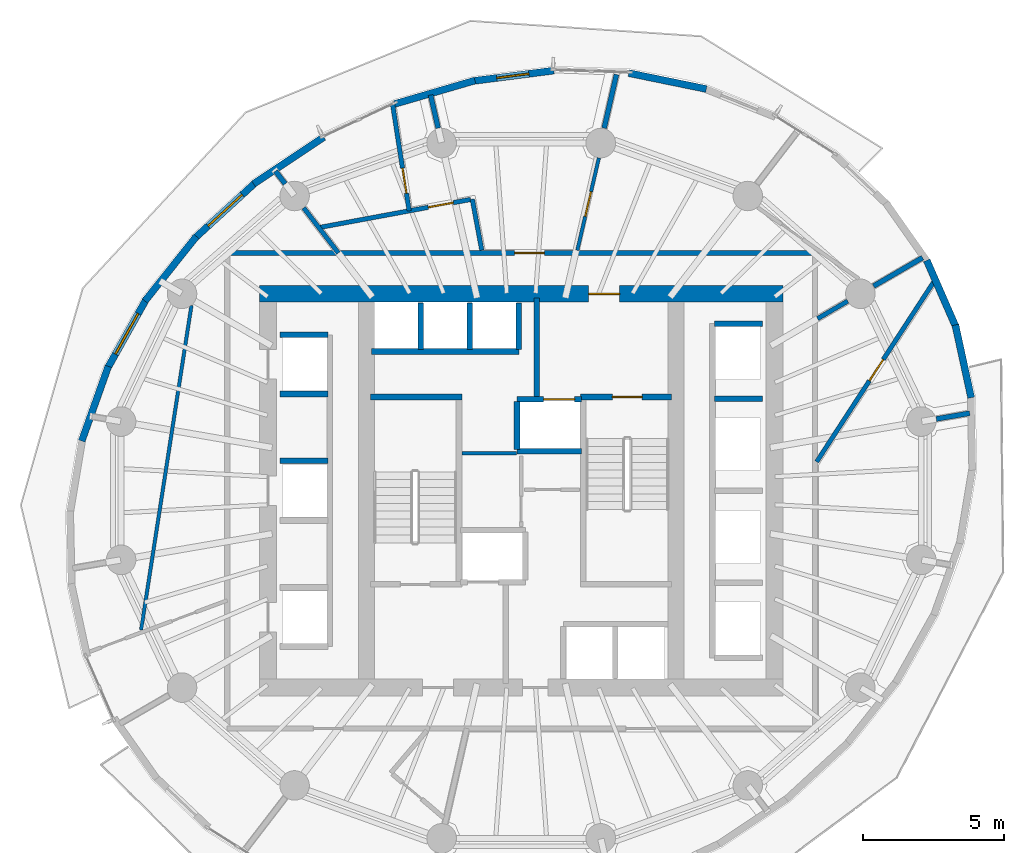
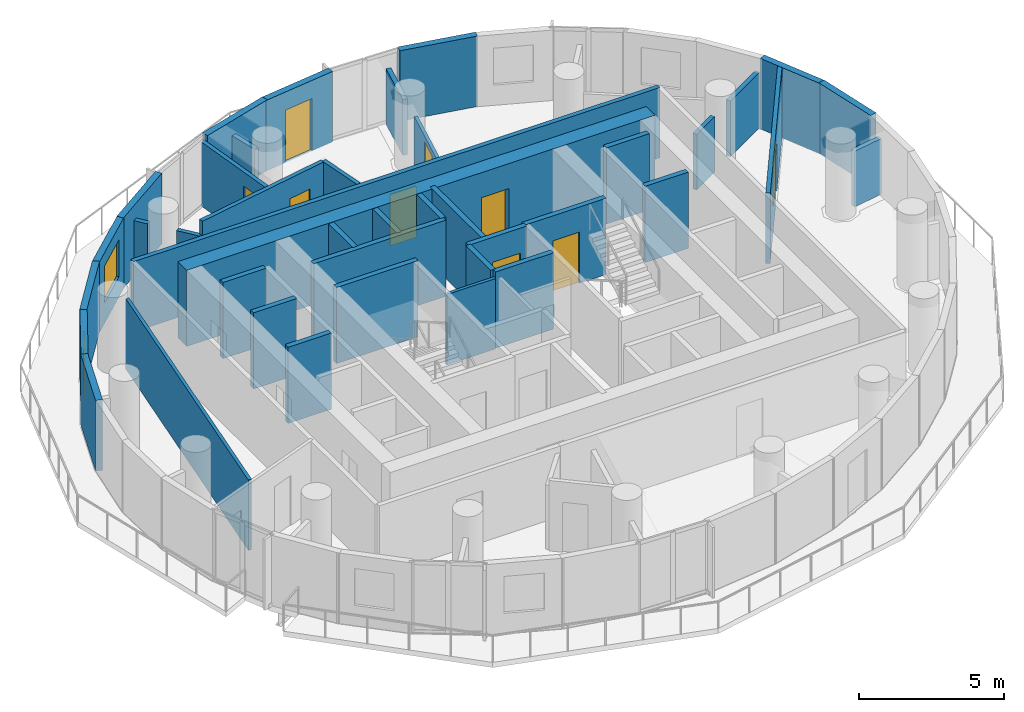
# One storey, part 7 of 13: 41 walls, 9 doors, 2 windows, 11 openings.
"""IFC4 building model written with IfcOpenShell, lengths in metres."""

from ifc_helpers import new_model, si_unit, direction, frame, frame_2d, origin, place, context, subcontext, project, spatial, rectangle, extrude, material, layer, layer_set, type_object, element, fill, save


model = new_model("IFC4")

# Units and contexts
model_context = context("Model", 3, precision=1e-05, world=origin(), true_north=direction((0.0, 1.0)))
body_context = subcontext(model_context, "Body", "Model", "MODEL_VIEW")
ifc_project = project(units=[si_unit("LENGTHUNIT", "METRE"), si_unit("AREAUNIT", "SQUARE_METRE"), si_unit("VOLUMEUNIT", "CUBIC_METRE"), si_unit("PLANEANGLEUNIT", "RADIAN"), si_unit("MASSUNIT", "GRAM", prefix="KILO")], contexts=[model_context])

# Site, building, storey
site_placement = place(None, origin())
site = spatial("IfcSite", under=ifc_project, at=site_placement, CompositionType="ELEMENT")
building_placement = place(site_placement, origin())
building = spatial("IfcBuilding", under=site, at=building_placement, Name="Veldorim Arch Residences", CompositionType="ELEMENT")
storey_placement = place(building_placement, frame((0.0, 0.0, 120.159912109375)))
storey = spatial("IfcBuildingStorey", under=building, at=storey_placement, Name="L35", CompositionType="ELEMENT", Elevation=120.159912109375)

# Wall
ifc_material_1 = material(Name="Acoustic Gypsum Board", Category="gypsum")
ifc_layer_1 = layer(ifc_material_1, 0.125, Name="Acoustic Stud Room Partition Wall 125")
ifc_layer_set_1 = layer_set([ifc_layer_1], Name="Acoustic Gypsum Board")
wall_type_1 = type_object("IfcWallType", Name="Acoustic Stud Room Partition Wall 125", PredefinedType="PARTITIONING", material=ifc_layer_set_1)
wall_1_placement = place(storey_placement, frame((29.889892578125, 25.330078125, 0.0), z_axis=(0.0, 0.0, 1.0), x_axis=(1.0, 0.0, 0.0)))
element("IfcWall", 1, at=wall_1_placement, inside=storey, type_object=wall_type_1, Name="L35 interior wall WL-CA-L35-N", PredefinedType="PARTITIONING", context=body_context, shape_type="SweptSolid", body=[
    extrude(rectangle(XDim=1.940185546875, YDim=0.125, at=frame_2d((0.97021484375, 0.0))), origin(), (0.0, 0.0, 1.0), 2.955078125),
])

# Wall, opening, door
wall_2_placement = place(storey_placement, frame((34.762939453125, 35.830078125, 0.0), z_axis=(0.0, 0.0, 1.0), x_axis=(-0.227476864998, -0.973783485119, 0.0)))
wall_2 = element("IfcWall", 2, at=wall_2_placement, inside=storey, type_object=wall_type_1, Name="L35 interior wall WL-RES-L35-010", PredefinedType="PARTITIONING", context=body_context, shape_type="SweptSolid", body=[
    extrude(rectangle(XDim=3.37109375, YDim=0.125, at=frame_2d((1.685546875, 0.0))), origin(), (0.0, 0.0, 1.0), 2.3359375),
])
opening_1_placement = place(wall_2_placement, frame((1.235595703125, 0.0, 0.0)))
opening_1 = element("IfcOpeningElement", 3, at=opening_1_placement, cuts=wall_2, Name="Opening DR-INT", PredefinedType="OPENING", context=body_context, shape_type="SweptSolid", body=[
    extrude(rectangle(XDim=0.89990234375, YDim=2.10009765625, at=frame_2d((0.449951171875, 1.050048828125))), frame((0.0, 0.072509765625, 0.0), z_axis=(0.0, -1.0, 0.0), x_axis=(1.0, 0.0, 0.0)), (0.0, 0.0, 1.0), 0.14501953125),
])
ifc_material_2 = material(Name="Engineered Timber", Category="wood")
door_type_1 = type_object("IfcDoorType", Name="Apartment Internal Room Timber Door 900x2100", OperationType="SINGLE_SWING_LEFT", PredefinedType="DOOR", material=ifc_material_2)
door_1_placement = place(opening_1_placement, origin())
door_1 = element("IfcDoor", 4, at=door_1_placement, inside=storey, type_object=door_type_1, Name="L35 interior door DR-RES-L35-005", OperationType="SINGLE_SWING_LEFT", OverallHeight=2.10009765625, OverallWidth=0.89990234375, PredefinedType="DOOR", context=body_context, shape_type="SweptSolid", body=[
    extrude(rectangle(XDim=0.89990234375, YDim=2.10009765625, at=frame_2d((0.449951171875, 1.050048828125))), frame((0.0, 0.02490234375, 0.0), z_axis=(0.0, -1.0, 0.0), x_axis=(1.0, 0.0, 0.0)), (0.0, 0.0, 1.0), 0.050048828125),
])
fill(opening_1, door_1)

# Walls
wall_3_placement = place(storey_placement, frame((20.27783203125, 30.58349609375, 0.0), z_axis=(0.0, 0.0, 1.0), x_axis=(-0.153357052545, -0.988170842737, 0.0)))
element("IfcWall", 5, at=wall_3_placement, inside=storey, type_object=wall_type_1, Name="L35 interior wall WL-RES-L35-018", PredefinedType="PARTITIONING", context=body_context, shape_type="SweptSolid", body=[
    extrude(rectangle(XDim=11.670654296875, YDim=0.125, at=frame_2d((5.83544921875, 0.0))), origin(), (0.0, 0.0, 1.0), 2.955078125),
])
ifc_material_3 = material(Name="Lightweight Masonry Block & Gypsum", Category="masonry")
ifc_layer_2 = layer(ifc_material_3, 0.179931640625, Name="Compartment & Corridor Fire-Rated Party Wall 180")
ifc_layer_set_2 = layer_set([ifc_layer_2], Name="Lightweight Masonry Block & Gypsum")
wall_type_2 = type_object("IfcWallType", Name="Compartment & Corridor Fire-Rated Party Wall 180", PredefinedType="PARTITIONING", material=ifc_layer_set_2)
wall_4_placement = place(storey_placement, frame((46.75830078125, 26.55078125, 0.0), z_axis=(0.0, 0.0, 1.0), x_axis=(0.985370848046, 0.170423859309, 0.0)))
element("IfcWall", 6, at=wall_4_placement, inside=storey, type_object=wall_type_2, Name="L35 interior wall WL-PIER-L35-01", PredefinedType="PARTITIONING", context=body_context, shape_type="SweptSolid", body=[
    extrude(rectangle(XDim=1.201904296875, YDim=0.179931640625, at=frame_2d((0.60107421875, 0.0))), origin(), (0.0, 0.0, 1.0), 2.3359375),
])
wall_5_placement = place(storey_placement, frame((44.527587890625, 31.27392578125, 0.0), z_axis=(0.0, 0.0, 1.0), x_axis=(0.864841613648, 0.502044802088, 0.0)))
element("IfcWall", 7, at=wall_5_placement, inside=storey, type_object=wall_type_2, Name="L35 interior wall WL-PIER-L35-02", PredefinedType="PARTITIONING", context=body_context, shape_type="SweptSolid", body=[
    extrude(rectangle(XDim=2.0126953125, YDim=0.179931640625, at=frame_2d((1.00634765625, 0.0))), origin(), (0.0, 0.0, 1.0), 2.3359375),
])
wall_6_placement = place(storey_placement, frame((34.950439453125, 36.88916015625, 0.0), z_axis=(0.0, 0.0, 1.0), x_axis=(0.22314653936, 0.97478491062, 0.0)))
element("IfcWall", 8, at=wall_6_placement, inside=storey, type_object=wall_type_2, Name="L35 interior wall WL-PIER-L35-04", PredefinedType="PARTITIONING", context=body_context, shape_type="SweptSolid", body=[
    extrude(rectangle(XDim=1.957275390625, YDim=0.179931640625, at=frame_2d((0.978515625, 0.0))), origin(), (0.0, 0.0, 1.0), 2.3359375),
])
wall_7_placement = place(storey_placement, frame((29.049560546875, 36.88916015625, 0.0), z_axis=(0.0, 0.0, 1.0), x_axis=(-0.22307190815, 0.974801992096, 0.0)))
element("IfcWall", 9, at=wall_7_placement, inside=storey, type_object=wall_type_2, Name="L35 interior wall WL-PIER-L35-05", PredefinedType="PARTITIONING", context=body_context, shape_type="SweptSolid", body=[
    extrude(rectangle(XDim=1.207275390625, YDim=0.179931640625, at=frame_2d((0.603515625, 0.0))), origin(), (0.0, 0.0, 1.0), 2.3359375),
])
wall_8_placement = place(storey_placement, frame((23.612060546875, 34.908447265625, 0.0), z_axis=(0.0, 0.0, 1.0), x_axis=(-0.609627883901, 0.792687733708, 0.0)))
element("IfcWall", 10, at=wall_8_placement, inside=storey, type_object=wall_type_2, Name="L35 interior wall WL-PIER-L35-06", PredefinedType="PARTITIONING", context=body_context, shape_type="SweptSolid", body=[
    extrude(rectangle(XDim=0.569580078125, YDim=0.179931640625, at=frame_2d((0.28466796875, 0.0))), origin(), (0.0, 0.0, 1.0), 2.3359375),
])

# Wall, opening, door
wall_9_placement = place(storey_placement, frame((21.550048828125, 32.449951171875, 0.0), z_axis=(0.0, 0.0, 1.0), x_axis=(1.0, 0.0, 0.0)))
wall_9 = element("IfcWall", 11, at=wall_9_placement, inside=storey, type_object=wall_type_2, Name="L35 interior wall WL-RES-L35-003", PredefinedType="PARTITIONING", context=body_context, shape_type="SweptSolid", body=[
    extrude(rectangle(XDim=20.89990234375, YDim=0.179931640625, at=frame_2d((10.449951171875, 0.0))), origin(), (0.0, 0.0, 1.0), 2.955078125),
])
opening_2_placement = place(wall_9_placement, frame((10.220458984375, 0.0, 0.0)))
opening_2 = element("IfcOpeningElement", 12, at=opening_2_placement, cuts=wall_9, Name="Opening DR-FLT", PredefinedType="OPENING", context=body_context, shape_type="SweptSolid", body=[
    extrude(rectangle(XDim=1.050048828125, YDim=2.14990234375, at=frame_2d((0.52490234375, 1.074951171875))), frame((0.0, 0.099853515625, 0.0), z_axis=(0.0, -1.0, 0.0), x_axis=(1.0, 0.0, 0.0)), (0.0, 0.0, 1.0), 0.199951171875),
])
ifc_material_4 = material(Name="Fire-Rated Timber", Category="wood")
door_type_2 = type_object("IfcDoorType", Name="Apartment Entrance Solid-Core Fire Door 1050x2150", OperationType="SINGLE_SWING_LEFT", PredefinedType="DOOR", material=ifc_material_4)
door_2_placement = place(opening_2_placement, origin())
door_2 = element("IfcDoor", 13, at=door_2_placement, inside=storey, type_object=door_type_2, Name="L35 interior door DR-RES-L35-003", OperationType="SINGLE_SWING_LEFT", OverallHeight=2.14990234375, OverallWidth=1.050048828125, PredefinedType="DOOR", context=body_context, shape_type="SweptSolid", body=[
    extrude(rectangle(XDim=1.050048828125, YDim=2.14990234375, at=frame_2d((0.52490234375, 1.074951171875))), frame((0.0, 0.02490234375, 0.0), z_axis=(0.0, -1.0, 0.0), x_axis=(1.0, 0.0, 0.0)), (0.0, 0.0, 1.0), 0.050048828125),
])
fill(opening_2, door_2)

# Wall
ifc_material_5 = material(Name="Concrete C50/60", Category="concrete")
ifc_layer_3 = layer(ifc_material_5, 0.199951171875, Name="Core Stair & Lift Shaft Enclosure Wall 200")
ifc_layer_set_3 = layer_set([ifc_layer_3], Name="Concrete C50/60")
wall_type_3 = type_object("IfcWallType", Name="Core Stair & Lift Shaft Enclosure Wall 200", PredefinedType="SHEAR", material=ifc_layer_set_3)
wall_10_placement = place(storey_placement, frame((26.64990234375, 27.330078125, 0.0), z_axis=(0.0, 0.0, 1.0), x_axis=(1.0, 0.0, 0.0)))
element("IfcWall", 14, at=wall_10_placement, inside=storey, type_object=wall_type_3, Name="L35 shaft wall WL-SHF-L35-ST1-N", PredefinedType="SHEAR", context=body_context, shape_type="SweptSolid", body=[
    extrude(rectangle(XDim=3.239990234375, YDim=0.199951171875, at=frame_2d((1.6201171875, 0.0))), origin(), (0.0, 0.0, 1.0), 3.2001953125),
])

# Wall, opening, door
wall_11_placement = place(storey_placement, frame((34.110107421875, 27.330078125, 0.0), z_axis=(0.0, 0.0, 1.0), x_axis=(1.0, 0.0, 0.0)))
wall_11 = element("IfcWall", 15, at=wall_11_placement, inside=storey, type_object=wall_type_3, Name="L35 shaft wall WL-SHF-L35-ST2-N", PredefinedType="SHEAR", context=body_context, shape_type="SweptSolid", body=[
    extrude(rectangle(XDim=3.239990234375, YDim=0.199951171875, at=frame_2d((1.6201171875, 0.0))), origin(), (0.0, 0.0, 1.0), 3.2001953125),
])
opening_3_placement = place(wall_11_placement, frame((1.135009765625, 0.0, 0.0)))
opening_3 = element("IfcOpeningElement", 16, at=opening_3_placement, cuts=wall_11, Name="Opening DR-ST", PredefinedType="OPENING", context=body_context, shape_type="SweptSolid", body=[
    extrude(rectangle(XDim=1.050048828125, YDim=2.14990234375, at=frame_2d((0.52490234375, 1.074951171875))), frame((0.0, 0.10986328125, 0.0), z_axis=(0.0, -1.0, 0.0), x_axis=(1.0, 0.0, 0.0)), (0.0, 0.0, 1.0), 0.219970703125),
])
ifc_material_6 = material(Name="Fire-Rated Steel", Category="steel")
door_type_3 = type_object("IfcDoorType", Name="Exit Staircase Self-Closing Fire Door 1050x2150", OperationType="SINGLE_SWING_LEFT", PredefinedType="DOOR", material=ifc_material_6)
door_3_placement = place(opening_3_placement, origin())
door_3 = element("IfcDoor", 17, at=door_3_placement, inside=storey, type_object=door_type_3, Name="L35 interior door DR-L35-ST2", OperationType="SINGLE_SWING_RIGHT", OverallHeight=2.14990234375, OverallWidth=1.050048828125, PredefinedType="DOOR", context=body_context, shape_type="SweptSolid", body=[
    extrude(rectangle(XDim=1.050048828125, YDim=2.14990234375, at=frame_2d((0.52490234375, 1.074951171875))), frame((0.0, 0.02490234375, 0.0), z_axis=(0.0, -1.0, 0.0), x_axis=(1.0, 0.0, 0.0)), (0.0, 0.0, 1.0), 0.050048828125),
])
fill(opening_3, door_3)

# Wall
wall_12_placement = place(storey_placement, frame((32.550048828125, 27.35009765625, 0.0), z_axis=(0.0, 0.0, 1.0), x_axis=(0.0, 1.0, 0.0)))
element("IfcWall", 18, at=wall_12_placement, inside=storey, type_object=wall_type_3, Name="L35 shaft wall WL-FFL2-L35-W", PredefinedType="SHEAR", context=body_context, shape_type="SweptSolid", body=[
    extrude(rectangle(XDim=3.5, YDim=0.199951171875, at=frame_2d((1.75, 0.0))), origin(), (0.0, 0.0, 1.0), 3.2001953125),
])

# Wall, opening, door
wall_13_placement = place(storey_placement, frame((31.85009765625, 27.25, 0.0), z_axis=(0.0, 0.0, 1.0), x_axis=(1.0, 0.0, 0.0)))
wall_13 = element("IfcWall", 19, at=wall_13_placement, inside=storey, type_object=wall_type_3, Name="L35 shaft wall WL-FL02-L35-N", PredefinedType="SHEAR", context=body_context, shape_type="SweptSolid", body=[
    extrude(rectangle(XDim=2.2998046875, YDim=0.199951171875, at=frame_2d((1.14990234375, 0.0))), origin(), (0.0, 0.0, 1.0), 3.2001953125),
])
opening_4_placement = place(wall_13_placement, frame((0.949951171875, 0.0, 0.0)))
opening_4 = element("IfcOpeningElement", 20, at=opening_4_placement, cuts=wall_13, Name="Opening LD-FF", PredefinedType="OPENING", context=body_context, shape_type="SweptSolid", body=[
    extrude(rectangle(XDim=1.10009765625, YDim=2.14990234375, at=frame_2d((0.550048828125, 1.074951171875))), frame((0.0, 0.10986328125, 0.0), z_axis=(0.0, -1.0, 0.0), x_axis=(1.0, 0.0, 0.0)), (0.0, 0.0, 1.0), 0.219970703125),
])
ifc_material_7 = material(Name="Stainless Steel", Category="steel")
door_type_4 = type_object("IfcDoorType", Name="Firefighting Lift Bi-Parting Sliding Landing Door 1100x2150", OperationType="DOUBLE_DOOR_SLIDING", PredefinedType="DOOR", material=ifc_material_7)
door_4_placement = place(opening_4_placement, origin())
door_4 = element("IfcDoor", 21, at=door_4_placement, inside=storey, type_object=door_type_4, Name="L35 lift landing door LD-L35-FL02", OperationType="DOUBLE_DOOR_SLIDING", OverallHeight=2.14990234375, OverallWidth=1.10009765625, PredefinedType="DOOR", context=body_context, shape_type="SweptSolid", body=[
    extrude(rectangle(XDim=1.10009765625, YDim=2.14990234375, at=frame_2d((0.550048828125, 1.074951171875))), frame((0.0, 0.02490234375, 0.0), z_axis=(0.0, -1.0, 0.0), x_axis=(1.0, 0.0, 0.0)), (0.0, 0.0, 1.0), 0.050048828125),
])
fill(opening_4, door_4)

# Walls
wall_14_placement = place(storey_placement, frame((31.85009765625, 25.39990234375, 0.0), z_axis=(0.0, 0.0, 1.0), x_axis=(1.0, 0.0, 0.0)))
element("IfcWall", 22, at=wall_14_placement, inside=storey, type_object=wall_type_3, Name="L35 shaft wall WL-FL02-L35-S", PredefinedType="SHEAR", context=body_context, shape_type="SweptSolid", body=[
    extrude(rectangle(XDim=2.2998046875, YDim=0.199951171875, at=frame_2d((1.14990234375, 0.0))), origin(), (0.0, 0.0, 1.0), 3.2001953125),
])
for number, where, z_axis, x_axis, name in (
    (23, (31.85009765625, 25.469970703125, 0.0), (0.0, 0.0, 1.0), (0.0, 1.0, 0.0), "L35 shaft wall WL-FL02-L35-W"),
    (24, (38.8701171875, 29.93994140625, 0.0), (0.0, 0.0, 1.0), (1.0, 0.0, 0.0), "L35 shaft wall WL-B1-L35-N"),
    (25, (38.8701171875, 27.27490234375, 0.0), (0.0, 0.0, 1.0), (1.0, 0.0, 0.0), "L35 shaft wall WL-B1-L35-D3"),
    (26, (23.419921875, 29.5400390625, 0.0), (0.0, 0.0, 1.0), (1.0, 0.0, 0.0), "L35 shaft wall WL-B2-L35-N"),
    (27, (23.419921875, 25.06005859375, 0.0), (0.0, 0.0, 1.0), (1.0, 0.0, 0.0), "L35 shaft wall WL-B2-L35-D2A"),
    (28, (23.419921875, 27.43994140625, 0.0), (0.0, 0.0, 1.0), (1.0, 0.0, 0.0), "L35 shaft wall WL-B2-L35-D2B"),
):
    element("IfcWall", number, at=place(storey_placement, frame(where, z_axis=z_axis, x_axis=x_axis)), inside=storey, type_object=wall_type_3, Name=name, PredefinedType="SHEAR", context=body_context, shape_type="SweptSolid", body=[
        extrude(rectangle(XDim=1.7099609375, YDim=0.199951171875, at=frame_2d((0.85498046875, 0.0))), origin(), (0.0, 0.0, 1.0), 3.2001953125),
    ])
wall_15_placement = place(storey_placement, frame((26.679931640625, 28.949951171875, 0.0), z_axis=(0.0, 0.0, 1.0), x_axis=(1.0, 0.0, 0.0)))
element("IfcWall", 29, at=wall_15_placement, inside=storey, type_object=wall_type_3, Name="L35 shaft wall WL-B3-L35-S", PredefinedType="SHEAR", context=body_context, shape_type="SweptSolid", body=[
    extrude(rectangle(XDim=5.239990234375, YDim=0.199951171875, at=frame_2d((2.6201171875, 0.0))), origin(), (0.0, 0.0, 1.0), 3.2001953125),
])
for number, where, z_axis, x_axis, name in (
    (30, (31.919921875, 29.02001953125, 0.0), (0.0, 0.0, 1.0), (0.0, 1.0, 0.0), "L35 shaft wall WL-B3-L35-E"),
    (31, (28.425048828125, 29.02001953125, 0.0), (0.0, 0.0, 1.0), (0.0, 1.0, 0.0), "L35 shaft wall WL-B3-L35-D1"),
    (32, (30.175048828125, 29.02001953125, 0.0), (0.0, 0.0, 1.0), (0.0, 1.0, 0.0), "L35 shaft wall WL-B3-L35-D2"),
):
    element("IfcWall", number, at=place(storey_placement, frame(where, z_axis=z_axis, x_axis=x_axis)), inside=storey, type_object=wall_type_3, Name=name, PredefinedType="SHEAR", context=body_context, shape_type="SweptSolid", body=[
        extrude(rectangle(XDim=1.659912109375, YDim=0.199951171875, at=frame_2d((0.830078125, 0.0))), origin(), (0.0, 0.0, 1.0), 3.2001953125),
    ])

# Wall, opening, door
ifc_material_8 = material(Name="Concrete C50/60", Category="concrete")
ifc_layer_4 = layer(ifc_material_8, 0.60009765625, Name="Mid-Upper Central Core Shear Wall 600")
ifc_layer_set_4 = layer_set([ifc_layer_4], Name="Concrete C50/60")
wall_type_4 = type_object("IfcWallType", Name="Mid-Upper Central Core Shear Wall 600", PredefinedType="SHEAR", material=ifc_layer_set_4)
wall_16_placement = place(storey_placement, frame((22.699951171875, 31.0, 0.0), z_axis=(0.0, 0.0, 1.0), x_axis=(1.0, 0.0, 0.0)))
wall_16 = element("IfcWall", 33, at=wall_16_placement, inside=storey, type_object=wall_type_4, Name="L35 central core north shear wall", PredefinedType="SHEAR", context=body_context, shape_type="SweptSolid", body=[
    extrude(rectangle(XDim=18.60009765625, YDim=0.60009765625, at=frame_2d((9.300048828125, 0.0))), origin(), (0.0, 0.0, 1.0), 3.2001953125),
])
opening_5_placement = place(wall_16_placement, frame((11.699951171875, 0.0, 0.0)))
opening_5 = element("IfcOpeningElement", 34, at=opening_5_placement, cuts=wall_16, Name="Opening DR-FFL", PredefinedType="OPENING", context=body_context, shape_type="SweptSolid", body=[
    extrude(rectangle(XDim=1.10009765625, YDim=2.14990234375, at=frame_2d((0.550048828125, 1.074951171875))), frame((0.0, 0.31005859375, 0.0), z_axis=(0.0, -1.0, 0.0), x_axis=(1.0, 0.0, 0.0)), (0.0, 0.0, 1.0), 0.6201171875),
])
ifc_material_9 = material(Name="Fire-Rated Steel & Vision Glass", Category="steel")
door_type_5 = type_object("IfcDoorType", Name="Firefighting Lobby Smoke-Stop Fire Door 1100x2150", OperationType="SINGLE_SWING_LEFT", PredefinedType="DOOR", material=ifc_material_9)
door_5_placement = place(opening_5_placement, origin())
door_5 = element("IfcDoor", 35, at=door_5_placement, inside=storey, type_object=door_type_5, Name="L35 interior door DR-L35-FFL2", OperationType="SINGLE_SWING_LEFT", OverallHeight=2.14990234375, OverallWidth=1.10009765625, PredefinedType="DOOR", context=body_context, shape_type="SweptSolid", body=[
    extrude(rectangle(XDim=1.10009765625, YDim=2.14990234375, at=frame_2d((0.550048828125, 1.074951171875))), frame((0.0, 0.02490234375, 0.0), z_axis=(0.0, -1.0, 0.0), x_axis=(1.0, 0.0, 0.0)), (0.0, 0.0, 1.0), 0.050048828125),
])
fill(opening_5, door_5)

# Wall
ifc_material_10 = material(Name="Precast concrete C40/50", Category="concrete")
ifc_layer_5 = layer(ifc_material_10, 0.25, Name="Tower Terracotta Spandrel & Pier Wall 250")
ifc_layer_set_5 = layer_set([ifc_layer_5], Name="Precast concrete C40/50")
wall_type_5 = type_object("IfcWallType", Name="Tower Terracotta Spandrel & Pier Wall 250", PredefinedType="SOLIDWALL", material=ifc_layer_set_5)
wall_17_placement = place(storey_placement, frame((35.822509765625, 38.8466796875, 0.0), z_axis=(0.0, 0.0, 1.0), x_axis=(0.97955106245, -0.20119571579, 0.0)))
element("IfcWall", 36, at=wall_17_placement, inside=storey, type_object=wall_type_5, Name="L35 terracotta facade wall 05", PredefinedType="SOLIDWALL", context=body_context, shape_type="SweptSolid", body=[
    extrude(rectangle(XDim=2.817626953125, YDim=0.25, at=frame_2d((1.40869140625, 0.0))), origin(), (0.0, 0.0, 1.0), 2.960205078125),
])

# Wall, opening, door
wall_18_placement = place(storey_placement, frame((30.24951171875, 38.561279296875, 0.0), z_axis=(0.0, 0.0, 1.0), x_axis=(0.991825107288, 0.1276046886, 0.0)))
wall_18 = element("IfcWall", 37, at=wall_18_placement, inside=storey, type_object=wall_type_5, Name="L35 terracotta facade wall 07", PredefinedType="SOLIDWALL", context=body_context, shape_type="SweptSolid", body=[
    extrude(rectangle(XDim=2.936767578125, YDim=0.25, at=frame_2d((1.46826171875, 0.0))), origin(), (0.0, 0.0, 1.0), 2.960205078125),
])
opening_6_placement = place(wall_18_placement, frame((0.89306640625, 0.0, 0.0)))
opening_6 = element("IfcOpeningElement", 38, at=opening_6_placement, cuts=wall_18, Name="Opening BL-DR", PredefinedType="OPENING", context=body_context, shape_type="SweptSolid", body=[
    extrude(rectangle(XDim=1.14990234375, YDim=2.199951171875, at=frame_2d((0.574951171875, 1.10009765625))), frame((0.0, 0.135009765625, 0.0), z_axis=(0.0, -1.0, 0.0), x_axis=(1.0, 0.0, 0.0)), (0.0, 0.0, 1.0), 0.27001953125),
])
ifc_material_11 = material(Name="Aluminium & Low-E Glass", Category="aluminium")
door_type_6 = type_object("IfcDoorType", Name="Glazed Planted Balcony Door 1150x2200", OperationType="SINGLE_SWING_LEFT", PredefinedType="DOOR", material=ifc_material_11)
door_6_placement = place(opening_6_placement, origin())
door_6 = element("IfcDoor", 39, at=door_6_placement, inside=storey, type_object=door_type_6, Name="L35 glazed outdoor terrace door BALC-1", OperationType="SINGLE_SWING_LEFT", OverallHeight=2.199951171875, OverallWidth=1.14990234375, PredefinedType="DOOR", context=body_context, shape_type="SweptSolid", body=[
    extrude(rectangle(XDim=1.14990234375, YDim=2.199951171875, at=frame_2d((0.574951171875, 1.10009765625))), frame((0.0, 0.02490234375, 0.0), z_axis=(0.0, -1.0, 0.0), x_axis=(1.0, 0.0, 0.0)), (0.0, 0.0, 1.0), 0.050048828125),
])
fill(opening_6, door_6)

# Walls
wall_19_placement = place(storey_placement, frame((27.498779296875, 37.748779296875, 0.0), z_axis=(0.0, 0.0, 1.0), x_axis=(0.95988234126, 0.280403086532, 0.0)))
element("IfcWall", 40, at=wall_19_placement, inside=storey, type_object=wall_type_5, Name="L35 terracotta facade wall 08", PredefinedType="SOLIDWALL", context=body_context, shape_type="SweptSolid", body=[
    extrude(rectangle(XDim=2.976806640625, YDim=0.25, at=frame_2d((1.48828125, 0.0))), origin(), (0.0, 0.0, 1.0), 2.960205078125),
])
wall_20_placement = place(storey_placement, frame((22.48583984375, 34.905517578125, 0.0), z_axis=(0.0, 0.0, 1.0), x_axis=(0.831523781892, 0.555489153943, 0.0)))
element("IfcWall", 41, at=wall_20_placement, inside=storey, type_object=wall_type_5, Name="L35 terracotta facade wall 10", PredefinedType="SOLIDWALL", context=body_context, shape_type="SweptSolid", body=[
    extrude(rectangle(XDim=2.998291015625, YDim=0.25, at=frame_2d((1.4990234375, 0.0))), origin(), (0.0, 0.0, 1.0), 2.960205078125),
])

# Wall, opening, window
wall_21_placement = place(storey_placement, frame((20.377197265625, 32.960693359375, 0.0), z_axis=(0.0, 0.0, 1.0), x_axis=(0.737072437991, 0.675813747384, 0.0)))
wall_21 = element("IfcWall", 42, at=wall_21_placement, inside=storey, type_object=wall_type_5, Name="L35 terracotta facade wall 11", PredefinedType="SOLIDWALL", context=body_context, shape_type="SweptSolid", body=[
    extrude(rectangle(XDim=2.97705078125, YDim=0.25, at=frame_2d((1.488525390625, 0.0))), origin(), (0.0, 0.0, 1.0), 2.960205078125),
])
opening_7_placement = place(wall_21_placement, frame((0.6640625, 0.0, 0.85009765625)))
opening_7 = element("IfcOpeningElement", 43, at=opening_7_placement, cuts=wall_21, Name="Opening WN-03", PredefinedType="OPENING", context=body_context, shape_type="SweptSolid", body=[
    extrude(rectangle(XDim=1.64990234375, YDim=1.550048828125, at=frame_2d((0.824951171875, 0.77490234375))), frame((0.0, 0.135009765625, 0.0), z_axis=(0.0, -1.0, 0.0), x_axis=(1.0, 0.0, 0.0)), (0.0, 0.0, 1.0), 0.27001953125),
])
ifc_material_12 = material(Name="Laminated Low-E Glass", Category="glass")
window_type = type_object("IfcWindowType", Name="Residential Wide Window 1650x1550", PartitioningType="SINGLE_PANEL", PredefinedType="WINDOW", material=ifc_material_12)
window_1_placement = place(opening_7_placement, origin())
window_1 = element("IfcWindow", 44, at=window_1_placement, inside=storey, type_object=window_type, Name="L35 solar-control facade window 11", OverallHeight=1.550048828125, OverallWidth=1.64990234375, PartitioningType="SINGLE_PANEL", PredefinedType="WINDOW", context=body_context, shape_type="SweptSolid", body=[
    extrude(rectangle(XDim=1.64990234375, YDim=1.550048828125, at=frame_2d((0.824951171875, 0.77490234375))), frame((0.0, 0.030029296875, 0.0), z_axis=(0.0, -1.0, 0.0), x_axis=(1.0, 0.0, 0.0)), (0.0, 0.0, 1.0), 0.06005859375),
])
fill(opening_7, window_1)

# Wall
wall_22_placement = place(storey_placement, frame((18.622314453125, 30.7431640625, 0.0), z_axis=(0.0, 0.0, 1.0), x_axis=(0.62291924477, 0.782286146174, 0.0)))
element("IfcWall", 45, at=wall_22_placement, inside=storey, type_object=wall_type_5, Name="L35 terracotta facade wall 12", PredefinedType="SOLIDWALL", context=body_context, shape_type="SweptSolid", body=[
    extrude(rectangle(XDim=2.936767578125, YDim=0.25, at=frame_2d((1.46826171875, 0.0))), origin(), (0.0, 0.0, 1.0), 2.960205078125),
])

# Wall, opening, window
wall_23_placement = place(storey_placement, frame((17.274658203125, 28.3203125, 0.0), z_axis=(0.0, 0.0, 1.0), x_axis=(0.488840693739, 0.872373071652, 0.0)))
wall_23 = element("IfcWall", 46, at=wall_23_placement, inside=storey, type_object=wall_type_5, Name="L35 terracotta facade wall 13", PredefinedType="SOLIDWALL", context=body_context, shape_type="SweptSolid", body=[
    extrude(rectangle(XDim=2.881591796875, YDim=0.25, at=frame_2d((1.44091796875, 0.0))), origin(), (0.0, 0.0, 1.0), 2.960205078125),
])
opening_8_placement = place(wall_23_placement, frame((0.615966796875, 0.0, 0.85009765625)))
opening_8 = element("IfcOpeningElement", 47, at=opening_8_placement, cuts=wall_23, Name="Opening WN-03", PredefinedType="OPENING", context=body_context, shape_type="SweptSolid", body=[
    extrude(rectangle(XDim=1.64990234375, YDim=1.550048828125, at=frame_2d((0.824951171875, 0.77490234375))), frame((0.0, 0.135009765625, 0.0), z_axis=(0.0, -1.0, 0.0), x_axis=(1.0, 0.0, 0.0)), (0.0, 0.0, 1.0), 0.27001953125),
])
window_2_placement = place(opening_8_placement, origin())
window_2 = element("IfcWindow", 48, at=window_2_placement, inside=storey, type_object=window_type, Name="L35 solar-control facade window 13", OverallHeight=1.550048828125, OverallWidth=1.64990234375, PartitioningType="SINGLE_PANEL", PredefinedType="WINDOW", context=body_context, shape_type="SweptSolid", body=[
    extrude(rectangle(XDim=1.64990234375, YDim=1.550048828125, at=frame_2d((0.824951171875, 0.77490234375))), frame((0.0, 0.030029296875, 0.0), z_axis=(0.0, -1.0, 0.0), x_axis=(1.0, 0.0, 0.0)), (0.0, 0.0, 1.0), 0.06005859375),
])
fill(opening_8, window_2)

# Walls
wall_24_placement = place(storey_placement, frame((16.37548828125, 25.766845703125, 0.0), z_axis=(0.0, 0.0, 1.0), x_axis=(0.335397655518, 0.942076649043, 0.0)))
element("IfcWall", 49, at=wall_24_placement, inside=storey, type_object=wall_type_5, Name="L35 terracotta facade wall 14", PredefinedType="SOLIDWALL", context=body_context, shape_type="SweptSolid", body=[
    extrude(rectangle(XDim=2.81787109375, YDim=0.25, at=frame_2d((1.408935546875, 0.0))), origin(), (0.0, 0.0, 1.0), 2.960205078125),
])
wall_25_placement = place(storey_placement, frame((47.434326171875, 29.894287109375, 0.0), z_axis=(0.0, 0.0, 1.0), x_axis=(0.212506194302, -0.977159719485, 0.0)))
element("IfcWall", 50, at=wall_25_placement, inside=storey, type_object=wall_type_5, Name="L35 terracotta facade wall 35", PredefinedType="SOLIDWALL", context=body_context, shape_type="SweptSolid", body=[
    extrude(rectangle(XDim=2.648193359375, YDim=0.25, at=frame_2d((1.32421875, 0.0))), origin(), (0.0, 0.0, 1.0), 2.960205078125),
])
wall_26_placement = place(storey_placement, frame((46.416748046875, 32.189208984375, 0.0), z_axis=(0.0, 0.0, 1.0), x_axis=(0.401160437353, -0.916007807555, 0.0)))
element("IfcWall", 51, at=wall_26_placement, inside=storey, type_object=wall_type_5, Name="L35 terracotta facade wall 36", PredefinedType="SOLIDWALL", context=body_context, shape_type="SweptSolid", body=[
    extrude(rectangle(XDim=2.624267578125, YDim=0.25, at=frame_2d((1.31201171875, 0.0))), origin(), (0.0, 0.0, 1.0), 2.960205078125),
])

# Wall, opening, door
ifc_material_13 = material(Name="Moisture-Resistant Gypsum & Stud", Category="gypsum")
ifc_layer_6 = layer(ifc_material_13, 0.159912109375, Name="Wet-Area Moisture-Resistant Plumbing Wall 160")
ifc_layer_set_6 = layer_set([ifc_layer_6], Name="Moisture-Resistant Gypsum & Stud")
wall_type_6 = type_object("IfcWallType", Name="Wet-Area Moisture-Resistant Plumbing Wall 160", PredefinedType="PLUMBINGWALL", material=ifc_layer_set_6)
wall_27_placement = place(storey_placement, frame((42.50439453125, 25.02783203125, 0.0), z_axis=(0.0, 0.0, 1.0), x_axis=(0.545387641629, 0.83818394184, 0.0)))
wall_27 = element("IfcWall", 52, at=wall_27_placement, inside=storey, type_object=wall_type_6, Name="L35 interior wall WL-RES-L35-006", PredefinedType="PLUMBINGWALL", context=body_context, shape_type="SweptSolid", body=[
    extrude(rectangle(XDim=7.77880859375, YDim=0.159912109375, at=frame_2d((3.889404296875, 0.0))), origin(), (0.0, 0.0, 1.0), 2.955078125),
])
opening_9_placement = place(wall_27_placement, frame((3.439453125, 0.0, 0.0)))
opening_9 = element("IfcOpeningElement", 53, at=opening_9_placement, cuts=wall_27, Name="Opening DR-WC", PredefinedType="OPENING", context=body_context, shape_type="SweptSolid", body=[
    extrude(rectangle(XDim=0.89990234375, YDim=2.10009765625, at=frame_2d((0.449951171875, 1.050048828125))), frame((0.0, 0.08984375, 0.0), z_axis=(0.0, -1.0, 0.0), x_axis=(1.0, 0.0, 0.0)), (0.0, 0.0, 1.0), 0.179931640625),
])
ifc_material_14 = material(Name="Laminate Timber", Category="wood")
door_type_7 = type_object("IfcDoorType", Name="Bathroom & Accessible WC Moisture-Sealed Door 900x2100", OperationType="SINGLE_SWING_LEFT", PredefinedType="DOOR", material=ifc_material_14)
door_7_placement = place(opening_9_placement, origin())
door_7 = element("IfcDoor", 54, at=door_7_placement, inside=storey, type_object=door_type_7, Name="L35 interior door DR-RES-L35-002", OperationType="SINGLE_SWING_RIGHT", OverallHeight=2.10009765625, OverallWidth=0.89990234375, PredefinedType="DOOR", context=body_context, shape_type="SweptSolid", body=[
    extrude(rectangle(XDim=0.89990234375, YDim=2.10009765625, at=frame_2d((0.449951171875, 1.050048828125))), frame((0.0, 0.02490234375, 0.0), z_axis=(0.0, -1.0, 0.0), x_axis=(1.0, 0.0, 0.0)), (0.0, 0.0, 1.0), 0.050048828125),
])
fill(opening_9, door_7)

# Wall
wall_28_placement = place(storey_placement, frame((42.53662109375, 30.11767578125, 0.0), z_axis=(0.0, 0.0, 1.0), x_axis=(0.864719990318, 0.502254256671, 0.0)))
element("IfcWall", 55, at=wall_28_placement, inside=storey, type_object=wall_type_6, Name="L35 interior wall WL-RES-L35-008", PredefinedType="PLUMBINGWALL", context=body_context, shape_type="SweptSolid", body=[
    extrude(rectangle(XDim=1.239990234375, YDim=0.159912109375, at=frame_2d((0.6201171875, 0.0))), origin(), (0.0, 0.0, 1.0), 2.3359375),
])

# Wall, opening, door
wall_29_placement = place(storey_placement, frame((28.018310546875, 33.94873046875, 0.0), z_axis=(0.0, 0.0, 1.0), x_axis=(-0.153476019394, 0.988152372598, 0.0)))
wall_29 = element("IfcWall", 56, at=wall_29_placement, inside=storey, type_object=wall_type_6, Name="L35 interior wall WL-RES-L35-009", PredefinedType="PLUMBINGWALL", context=body_context, shape_type="SweptSolid", body=[
    extrude(rectangle(XDim=3.852783203125, YDim=0.159912109375, at=frame_2d((1.92626953125, 0.0))), origin(), (0.0, 0.0, 1.0), 2.692138671875),
])
opening_10_placement = place(wall_29_placement, frame((0.63623046875, 0.0, 0.0)))
opening_10 = element("IfcOpeningElement", 57, at=opening_10_placement, cuts=wall_29, Name="Opening DR-WC", PredefinedType="OPENING", context=body_context, shape_type="SweptSolid", body=[
    extrude(rectangle(XDim=0.89990234375, YDim=2.10009765625, at=frame_2d((0.449951171875, 1.050048828125))), frame((0.0, 0.08984375, 0.0), z_axis=(0.0, -1.0, 0.0), x_axis=(1.0, 0.0, 0.0)), (0.0, 0.0, 1.0), 0.179931640625),
])
door_8_placement = place(opening_10_placement, origin())
door_8 = element("IfcDoor", 58, at=door_8_placement, inside=storey, type_object=door_type_7, Name="L35 interior door DR-RES-L35-004", OperationType="SINGLE_SWING_RIGHT", OverallHeight=2.10009765625, OverallWidth=0.89990234375, PredefinedType="DOOR", context=body_context, shape_type="SweptSolid", body=[
    extrude(rectangle(XDim=0.89990234375, YDim=2.10009765625, at=frame_2d((0.449951171875, 1.050048828125))), frame((0.0, 0.02490234375, 0.0), z_axis=(0.0, -1.0, 0.0), x_axis=(1.0, 0.0, 0.0)), (0.0, 0.0, 1.0), 0.050048828125),
])
fill(opening_10, door_8)

# Wall
wall_30_placement = place(storey_placement, frame((30.59912109375, 32.54833984375, 0.0), z_axis=(0.0, 0.0, 1.0), x_axis=(-0.182221749535, 0.983257460687, 0.0)))
element("IfcWall", 59, at=wall_30_placement, inside=storey, type_object=wall_type_6, Name="L35 interior wall WL-RES-L35-011", PredefinedType="PLUMBINGWALL", context=body_context, shape_type="SweptSolid", body=[
    extrude(rectangle(XDim=1.84765625, YDim=0.159912109375, at=frame_2d((0.923828125, 0.0))), origin(), (0.0, 0.0, 1.0), 2.955078125),
])

# Wall, opening, door
wall_31_placement = place(storey_placement, frame((30.203369140625, 34.35400390625, 0.0), z_axis=(0.0, 0.0, 1.0), x_axis=(-0.983240381988, -0.182313881064, 0.0)))
wall_31 = element("IfcWall", 60, at=wall_31_placement, inside=storey, type_object=wall_type_6, Name="L35 interior wall WL-RES-L35-012", PredefinedType="PLUMBINGWALL", context=body_context, shape_type="SweptSolid", body=[
    extrude(rectangle(XDim=5.48779296875, YDim=0.159912109375, at=frame_2d((2.743896484375, 0.0))), origin(), (0.0, 0.0, 1.0), 2.955078125),
])
opening_11_placement = place(wall_31_placement, frame((0.631103515625, 0.0, 0.0)))
opening_11 = element("IfcOpeningElement", 61, at=opening_11_placement, cuts=wall_31, Name="Opening DR-INT", PredefinedType="OPENING", context=body_context, shape_type="SweptSolid", body=[
    extrude(rectangle(XDim=0.89990234375, YDim=2.10009765625, at=frame_2d((0.449951171875, 1.050048828125))), frame((0.0, 0.08984375, 0.0), z_axis=(0.0, -1.0, 0.0), x_axis=(1.0, 0.0, 0.0)), (0.0, 0.0, 1.0), 0.179931640625),
])
door_9_placement = place(opening_11_placement, origin())
door_9 = element("IfcDoor", 62, at=door_9_placement, inside=storey, type_object=door_type_1, Name="L35 interior door DR-RES-L35-007", OperationType="SINGLE_SWING_LEFT", OverallHeight=2.10009765625, OverallWidth=0.89990234375, PredefinedType="DOOR", context=body_context, shape_type="SweptSolid", body=[
    extrude(rectangle(XDim=0.89990234375, YDim=2.10009765625, at=frame_2d((0.449951171875, 1.050048828125))), frame((0.0, 0.02490234375, 0.0), z_axis=(0.0, -1.0, 0.0), x_axis=(1.0, 0.0, 0.0)), (0.0, 0.0, 1.0), 0.050048828125),
])
fill(opening_11, door_9)

# Wall
wall_32_placement = place(storey_placement, frame((25.50244140625, 32.449951171875, 0.0), z_axis=(0.0, 0.0, 1.0), x_axis=(-0.609541819787, 0.792753915115, 0.0)))
element("IfcWall", 63, at=wall_32_placement, inside=storey, type_object=wall_type_6, Name="L35 interior wall WL-RES-L35-013", PredefinedType="PLUMBINGWALL", context=body_context, shape_type="SweptSolid", body=[
    extrude(rectangle(XDim=2.025390625, YDim=0.159912109375, at=frame_2d((1.0126953125, 0.0))), origin(), (0.0, 0.0, 1.0), 2.3359375),
])

save(model, "model.ifc")
